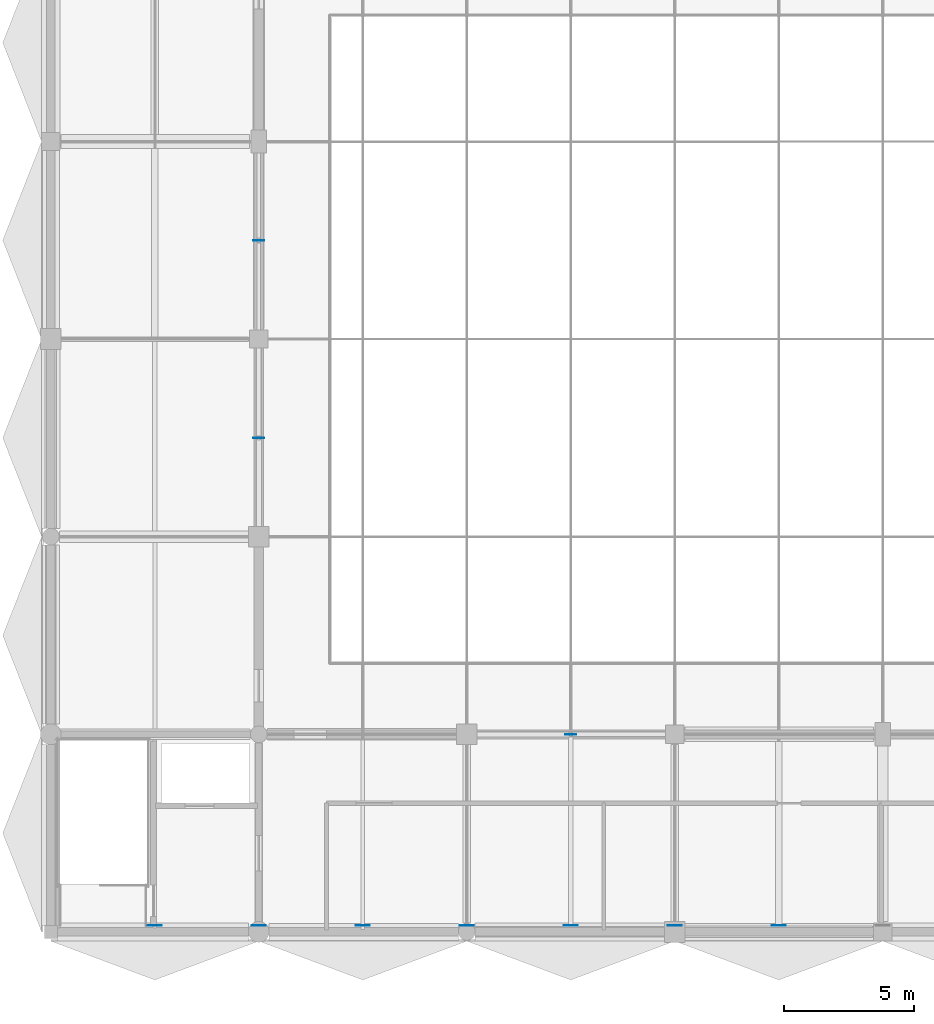
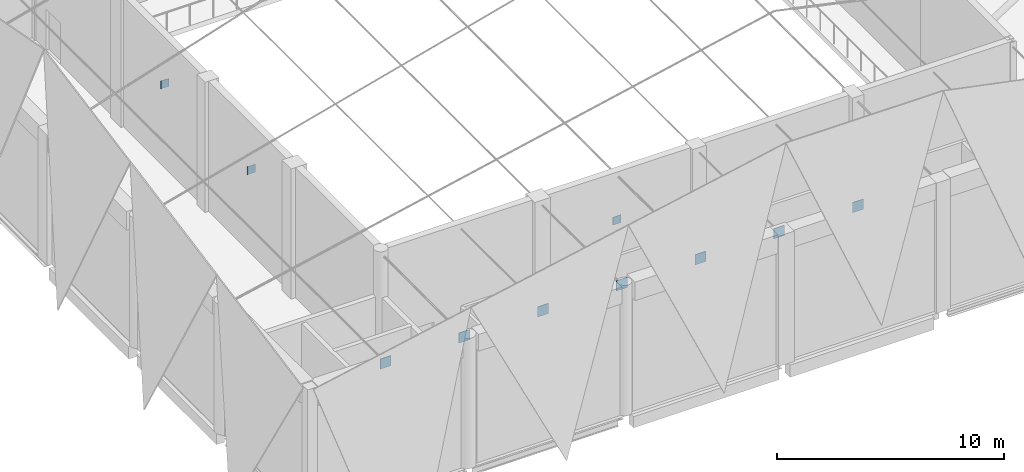
# One storey, part 27 of 46: 10 plates.
"""IFC4 building model written with IfcOpenShell, lengths in metres."""

from ifc_helpers import new_model, si_unit, direction, frame, origin, origin_2d, place, context, subcontext, project, spatial, rectangle, extrude, material, layer, layer_set, type_object, element, save


model = new_model("IFC4")

# Units and contexts
model_context = context("Model", 3, precision=1e-05, world=origin(), true_north=direction((0.0, 1.0)))
body_context = subcontext(model_context, "Body", "Model", "MODEL_VIEW")
ifc_project = project(units=[si_unit("LENGTHUNIT", "METRE"), si_unit("AREAUNIT", "SQUARE_METRE"), si_unit("VOLUMEUNIT", "CUBIC_METRE"), si_unit("PLANEANGLEUNIT", "RADIAN"), si_unit("MASSUNIT", "GRAM", prefix="KILO")], contexts=[model_context])

# Site, building, storey
site_placement = place(None, origin())
site = spatial("IfcSite", under=ifc_project, at=site_placement, CompositionType="ELEMENT")
building_placement = place(site_placement, origin())
building = spatial("IfcBuilding", under=site, at=building_placement, Name="Khelvaren Railside Concert Hall", CompositionType="ELEMENT")
storey_placement = place(building_placement, frame((0.0, 0.0, 19.800048828125)))
storey = spatial("IfcBuildingStorey", under=building, at=storey_placement, Name="L04", CompositionType="ELEMENT", Elevation=19.800048828125)

# Plates
ifc_material = material(Name="Steel S355", Category="steel")
ifc_layer_1 = layer(ifc_material, 0.028076171875)
ifc_layer_set_1 = layer_set([ifc_layer_1], Name="Steel S355")
plate_type_1 = type_object("IfcPlateType", Name="GP71", PredefinedType="USERDEFINED", material=ifc_layer_set_1)
for number, where, z_axis, x_axis, name in (
    (1, (4.0, 0.25, 6.4248046875), (0.0, 0.0, 1.0), (1.0, 0.0, 0.0), "Cable Anchorage Gusset Plate S-1"),
    (2, (8.0, 0.25, 6.4248046875), (0.0, 0.0, 1.0), (1.0, 0.0, 0.0), "Cable Anchorage Gusset Plate S-2"),
    (3, (12.0, 0.25, 6.4248046875), (0.0, 0.0, 1.0), (1.0, 0.0, 0.0), "Cable Anchorage Gusset Plate S-3"),
    (4, (16.0, 0.25, 6.4248046875), (0.0, 0.0, 1.0), (1.0, 0.0, 0.0), "Cable Anchorage Gusset Plate S-4"),
    (5, (20.0, 0.25, 6.4248046875), (0.0, 0.0, 1.0), (1.0, 0.0, 0.0), "Cable Anchorage Gusset Plate S-5"),
    (6, (24.0, 0.25, 6.4248046875), (0.0, 0.0, 1.0), (1.0, 0.0, 0.0), "Cable Anchorage Gusset Plate S-6"),
    (7, (28.0, 0.25, 6.4248046875), (0.0, 0.0, 1.0), (1.0, 0.0, 0.0), "Cable Anchorage Gusset Plate S-7"),
):
    element("IfcPlate", number, at=place(storey_placement, frame(where, z_axis=z_axis, x_axis=x_axis)), inside=storey, type_object=plate_type_1, Name=name, ObjectType="GUSSET PLATE", PredefinedType="USERDEFINED", context=body_context, shape_type="SweptSolid", body=[
        extrude(rectangle(XDim=0.550048828125, YDim=0.028076171875, at=origin_2d()), origin(), (0.0, 0.0, 1.0), 0.550048828125),
    ])
ifc_layer_2 = layer(ifc_material, 0.02197265625)
ifc_layer_set_2 = layer_set([ifc_layer_2], Name="Steel S355")
plate_type_2 = type_object("IfcPlateType", Name="STP73", PredefinedType="USERDEFINED", material=ifc_layer_set_2)
for number, where, z_axis, x_axis, name in (
    (8, (8.0, 19.0, 4.080078125), (0.0, 0.0, 1.0), (1.0, 0.0, 0.0), "V1 L04 Brace Apex Stiffener Plate 10"),
    (9, (8.0, 26.60009765625, 4.080078125), (0.0, 0.0, 1.0), (1.0, 0.0, 0.0), "V1 L04 Brace Apex Stiffener Plate 20"),
    (10, (20.0, 7.60009765625, 4.080078125), (0.0, 0.0, 1.0), (1.0, 0.0, 0.0), "V1 L04 Brace Apex Stiffener Plate 30"),
):
    element("IfcPlate", number, at=place(storey_placement, frame(where, z_axis=z_axis, x_axis=x_axis)), inside=storey, type_object=plate_type_2, Name=name, ObjectType="STIFFENER PLATE", PredefinedType="USERDEFINED", context=body_context, shape_type="SweptSolid", body=[
        extrude(rectangle(XDim=0.419921875, YDim=0.02197265625, at=origin_2d()), origin(), (0.0, 0.0, 1.0), 0.419921875),
    ])

save(model, "model.ifc")
